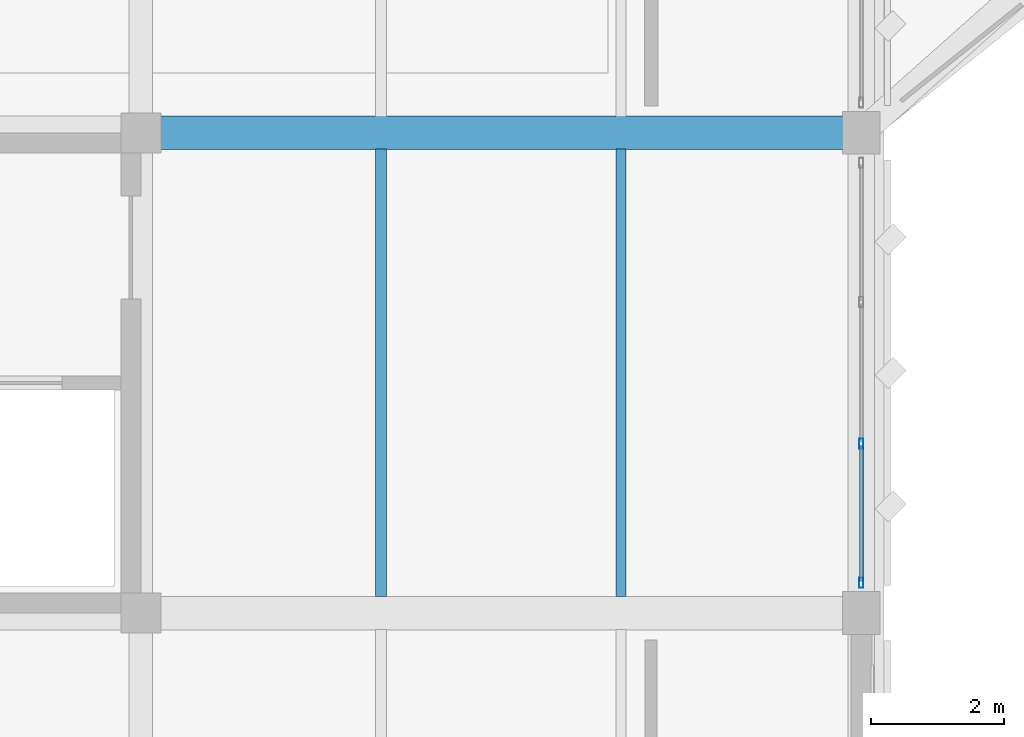
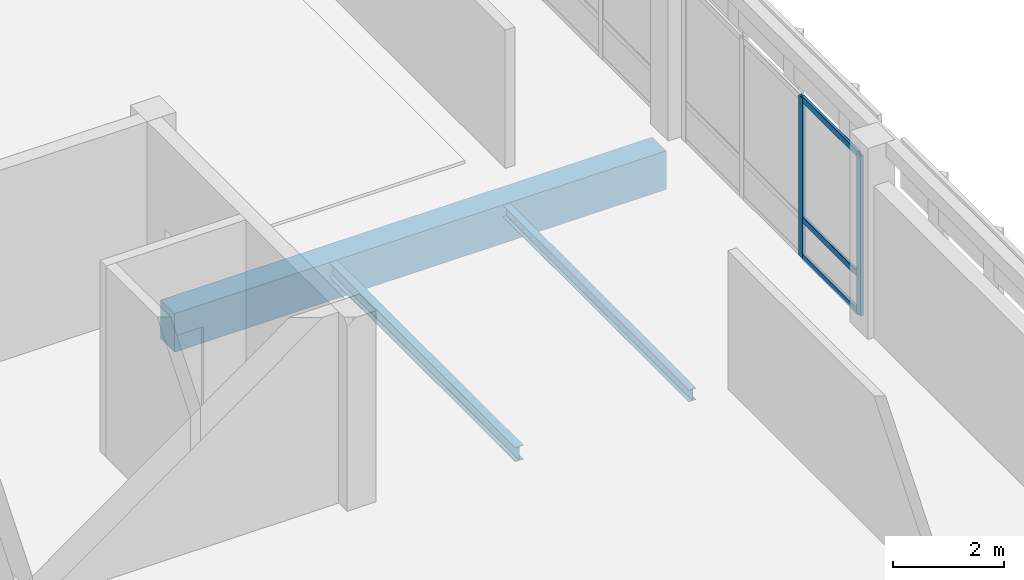
# One storey, part 30 of 158: 5 members, 3 beams, 1 element without a shape of its own.
"""IFC4 building model written with IfcOpenShell, lengths in metres."""

from ifc_helpers import new_model, si_unit, direction, frame, origin, origin_2d, place, context, subcontext, project, spatial, rectangle, hollow_rectangle, i_section, extrude, material, material_profile, profile_set, type_object, element, aggregate, save


model = new_model("IFC4")

# Units and contexts
model_context = context("Model", 3, precision=1e-05, world=origin(), true_north=direction((0.0, 1.0)))
body_context = subcontext(model_context, "Body", "Model", "MODEL_VIEW")
ifc_project = project(units=[si_unit("LENGTHUNIT", "METRE"), si_unit("AREAUNIT", "SQUARE_METRE"), si_unit("VOLUMEUNIT", "CUBIC_METRE"), si_unit("PLANEANGLEUNIT", "RADIAN"), si_unit("MASSUNIT", "GRAM", prefix="KILO")], contexts=[model_context])

# Site, building, storey
site_placement = place(None, origin())
site = spatial("IfcSite", under=ifc_project, at=site_placement, CompositionType="ELEMENT")
building_placement = place(site_placement, origin())
building = spatial("IfcBuilding", under=site, at=building_placement, Name="Lusvemor Sports Hall", CompositionType="ELEMENT")
storey_placement = place(building_placement, frame((0.0, 0.0, 10.800048828125)))
storey = spatial("IfcBuildingStorey", under=building, at=storey_placement, Name="L02", CompositionType="ELEMENT", Elevation=10.800048828125)

# Curtain wall, members
ifc_material_1 = material(Name="Thermally broken bronze-anodized aluminium", Category="aluminium")
curtain_wall_type = type_object("IfcCurtainWallType", Name="CW_WING_B", PredefinedType="NOTDEFINED", material=ifc_material_1)
curtain_wall_placement = place(storey_placement, origin())
curtain_wall = element("IfcCurtainWall", 1, at=curtain_wall_placement, inside=storey, type_object=curtain_wall_type, Name="Curtain Wall CW-L02-E-5-3", PredefinedType="NOTDEFINED")
ifc_material_2 = material(Name="Thermally broken bronze-anodized aluminium", Category="aluminium")
ifc_material_profile_1 = material_profile(ifc_material_2, hollow_rectangle(XDim=0.06494140625, YDim=0.14990234375, WallThickness=0.00390625, InnerFilletRadius=0.00390625, OuterFilletRadius=0.008056640625, at=origin_2d()), Name="CWMUL150x65x4")
ifc_profile_set_1 = profile_set([ifc_material_profile_1], Name="Thermally broken bronze-anodized aluminium")
member_type_1 = type_object("IfcMemberType", Name="CW_MUL_B", PredefinedType="MULLION", material=ifc_profile_set_1)
member_1_placement = place(storey_placement, frame((21.60009765625, 70.93994140625, 0.0), z_axis=(0.0, 0.0, 1.0), x_axis=(1.0, 0.0, 0.0)))
member_1 = element("IfcMember", 2, at=member_1_placement, type_object=member_type_1, Name="CW02 mullion 3", PredefinedType="MULLION", context=body_context, shape_type="SweptSolid", body=[
    extrude(hollow_rectangle(XDim=0.06494140625, YDim=0.14990234375, WallThickness=0.00390625, InnerFilletRadius=0.00390625, OuterFilletRadius=0.008056640625, at=origin_2d()), origin(), (0.0, 0.0, 1.0), 3.52001953125),
])
member_2_placement = place(storey_placement, frame((21.60009765625, 68.8525390625, 0.0), z_axis=(0.0, 0.0, 1.0), x_axis=(1.0, 0.0, 0.0)))
member_2 = element("IfcMember", 3, at=member_2_placement, type_object=member_type_1, Name="CW02 mullion 4", PredefinedType="MULLION", context=body_context, shape_type="SweptSolid", body=[
    extrude(hollow_rectangle(XDim=0.06494140625, YDim=0.14990234375, WallThickness=0.00390625, InnerFilletRadius=0.00390625, OuterFilletRadius=0.008056640625, at=origin_2d()), origin(), (0.0, 0.0, 1.0), 3.52001953125),
])
ifc_material_3 = material(Name="Thermally broken bronze-anodized aluminium", Category="aluminium")
ifc_material_profile_2 = material_profile(ifc_material_3, hollow_rectangle(XDim=0.06005859375, YDim=0.135009765625, WallThickness=0.00390625, InnerFilletRadius=0.00390625, OuterFilletRadius=0.008056640625, at=origin_2d()), Name="CWTRN135x60x4")
ifc_profile_set_2 = profile_set([ifc_material_profile_2], Name="Thermally broken bronze-anodized aluminium")
member_type_2 = type_object("IfcMemberType", Name="CW_TRN_B", PredefinedType="USERDEFINED", material=ifc_profile_set_2)
member_3_placement = place(storey_placement, frame((21.60009765625, 70.907470703125, 0.030029296875), z_axis=(0.0, -1.0, 0.0), x_axis=(1.0, 0.0, 0.0)))
member_3 = element("IfcMember", 4, at=member_3_placement, type_object=member_type_2, Name="CW02 transom 3.1", ObjectType="TRANSOM", PredefinedType="USERDEFINED", context=body_context, shape_type="SweptSolid", body=[
    extrude(hollow_rectangle(XDim=0.06005859375, YDim=0.135009765625, WallThickness=0.00390625, InnerFilletRadius=0.00390625, OuterFilletRadius=0.008056640625, at=origin_2d()), origin(), (0.0, 0.0, 1.0), 2.0224609375),
])
member_4_placement = place(storey_placement, frame((21.60009765625, 70.907470703125, 0.849853515625), z_axis=(0.0, -1.0, 0.0), x_axis=(1.0, 0.0, 0.0)))
member_4 = element("IfcMember", 5, at=member_4_placement, type_object=member_type_2, Name="CW02 transom 3.2", ObjectType="TRANSOM", PredefinedType="USERDEFINED", context=body_context, shape_type="SweptSolid", body=[
    extrude(hollow_rectangle(XDim=0.06005859375, YDim=0.135009765625, WallThickness=0.00390625, InnerFilletRadius=0.00390625, OuterFilletRadius=0.008056640625, at=origin_2d()), origin(), (0.0, 0.0, 1.0), 2.0224609375),
])
member_5_placement = place(storey_placement, frame((21.60009765625, 70.907470703125, 3.489990234375), z_axis=(0.0, -1.0, 0.0), x_axis=(1.0, 0.0, 0.0)))
member_5 = element("IfcMember", 6, at=member_5_placement, type_object=member_type_2, Name="CW02 transom 3.3", ObjectType="TRANSOM", PredefinedType="USERDEFINED", context=body_context, shape_type="SweptSolid", body=[
    extrude(hollow_rectangle(XDim=0.06005859375, YDim=0.135009765625, WallThickness=0.00390625, InnerFilletRadius=0.00390625, OuterFilletRadius=0.008056640625, at=origin_2d()), origin(), (0.0, 0.0, 1.0), 2.0224609375),
])
aggregate(curtain_wall, [member_1, member_2, member_3, member_4, member_5])

# Beams
ifc_material_4 = material(Name="Concrete C40/50", Category="concrete")
ifc_material_profile_3 = material_profile(ifc_material_4, rectangle(XDim=0.5, YDim=0.85009765625, at=origin_2d()), Name="RC500x850")
ifc_profile_set_3 = profile_set([ifc_material_profile_3], Name="Concrete C40/50")
beam_type_1 = type_object("IfcBeamType", Name="GIRD_RC_850", PredefinedType="T_BEAM", material=ifc_profile_set_3)
beam_1_placement = place(storey_placement, frame((11.095947265625, 75.60009765625, -0.68505859375), z_axis=(1.0, 0.0, 0.0), x_axis=(0.0, 1.0, 0.0)))
element("IfcBeam", 7, at=beam_1_placement, inside=storey, type_object=beam_type_1, Name="Beam L02 K:2-3", PredefinedType="T_BEAM", context=body_context, shape_type="SweptSolid", body=[
    extrude(rectangle(XDim=0.5, YDim=0.85009765625, at=origin_2d()), origin(), (0.0, 0.0, 1.0), 10.22802734375),
])
ifc_material_5 = material(Name="Steel S355", Category="steel")
ifc_material_profile_4 = material_profile(ifc_material_5, i_section(OverallWidth=0.14794921875, OverallDepth=0.26611328125, WebThickness=0.007568359375, FlangeThickness=0.012939453125, FilletRadius=0.012939453125, at=origin_2d()), Name="W250x44.8")
ifc_profile_set_4 = profile_set([ifc_material_profile_4], Name="Steel S355")
beam_type_2 = type_object("IfcBeamType", Name="JOIST_ST_250M", PredefinedType="JOIST", material=ifc_profile_set_4)
beam_2_placement = place(storey_placement, frame((18.0, 68.64599609375, -0.39697265625), z_axis=(0.0, 1.0, 0.0), x_axis=(-1.0, 0.0, 0.0)))
element("IfcBeam", 8, at=beam_2_placement, inside=storey, type_object=beam_type_2, Name="Secondary Joist L02 2-3/J-K #2", PredefinedType="JOIST", context=body_context, shape_type="SweptSolid", body=[
    extrude(i_section(OverallWidth=0.14794921875, OverallDepth=0.26611328125, WebThickness=0.007568359375, FlangeThickness=0.012939453125, FilletRadius=0.012939453125, at=origin_2d()), origin(), (0.0, 0.0, 1.0), 6.7080078125),
])
ifc_material_6 = material(Name="Steel S355", Category="steel")
ifc_material_profile_5 = material_profile(ifc_material_6, i_section(OverallWidth=0.1669921875, OverallDepth=0.31689453125, WebThickness=0.007568359375, FlangeThickness=0.01318359375, FilletRadius=0.014892578125, at=origin_2d()), Name="W310x52.0")
ifc_profile_set_5 = profile_set([ifc_material_profile_5], Name="Steel S355")
beam_type_3 = type_object("IfcBeamType", Name="JOIST_ST_310M", PredefinedType="JOIST", material=ifc_profile_set_5)
beam_3_placement = place(storey_placement, frame((14.39990234375, 68.64599609375, -0.422607421875), z_axis=(0.0, 1.0, 0.0), x_axis=(-1.0, 0.0, 0.0)))
element("IfcBeam", 9, at=beam_3_placement, inside=storey, type_object=beam_type_3, Name="Secondary Joist L02 2-3/J-K #1", PredefinedType="JOIST", context=body_context, shape_type="SweptSolid", body=[
    extrude(i_section(OverallWidth=0.1669921875, OverallDepth=0.31689453125, WebThickness=0.007568359375, FlangeThickness=0.01318359375, FilletRadius=0.014892578125, at=origin_2d()), origin(), (0.0, 0.0, 1.0), 6.7080078125),
])

save(model, "model.ifc")
